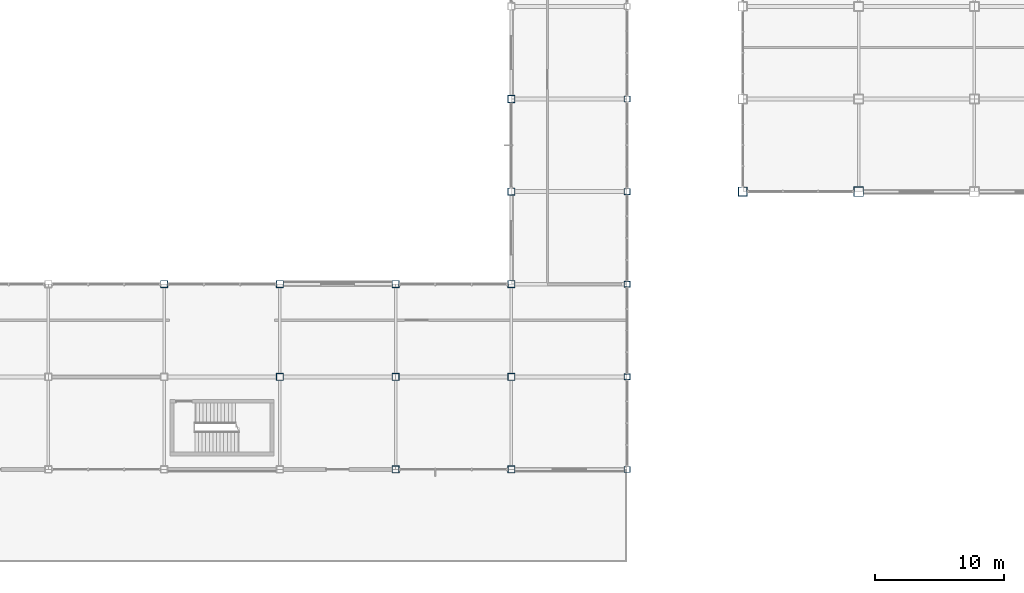
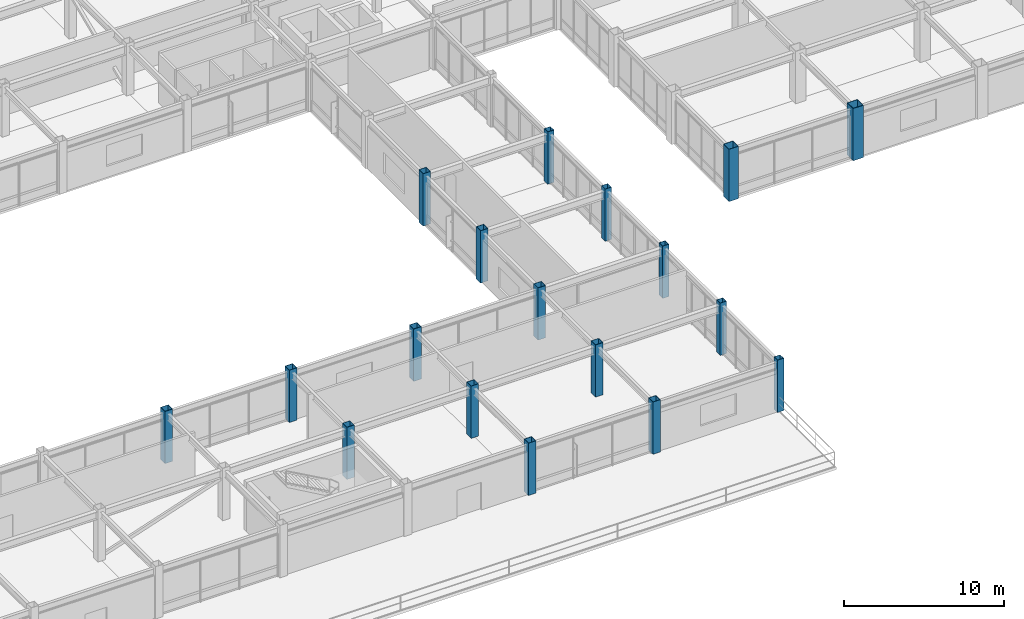
# One storey, part 5 of 122: 18 columns.
"""IFC4 building model written with IfcOpenShell, lengths in metres."""

from ifc_helpers import new_model, si_unit, direction, frame, origin, origin_2d, place, context, subcontext, project, spatial, hollow_rectangle, extrude, material, material_profile, profile_set, type_object, element, save


model = new_model("IFC4")

# Units and contexts
model_context = context("Model", 3, precision=1e-05, world=origin(), true_north=direction((0.0, 1.0)))
body_context = subcontext(model_context, "Body", "Model", "MODEL_VIEW")
ifc_project = project(units=[si_unit("LENGTHUNIT", "METRE"), si_unit("AREAUNIT", "SQUARE_METRE"), si_unit("VOLUMEUNIT", "CUBIC_METRE"), si_unit("PLANEANGLEUNIT", "RADIAN"), si_unit("MASSUNIT", "GRAM", prefix="KILO")], contexts=[model_context])

# Site, building, storey
site_placement = place(None, origin())
site = spatial("IfcSite", under=ifc_project, at=site_placement, CompositionType="ELEMENT")
building_placement = place(site_placement, origin())
building = spatial("IfcBuilding", under=site, at=building_placement, Name="Kazanami Central Library", CompositionType="ELEMENT")
storey_placement = place(building_placement, frame((0.0, 0.0, 4.800048828125)))
storey = spatial("IfcBuildingStorey", under=building, at=storey_placement, Name="L02", CompositionType="ELEMENT", Elevation=4.800048828125)

# Columns
ifc_material = material(Name="Steel BCP325 (325 MPa)", Category="steel")
ifc_material_profile_1 = material_profile(ifc_material, hollow_rectangle(XDim=0.449951171875, YDim=0.449951171875, WallThickness=0.01904296875, at=origin_2d()), Name="BCP-450x450x19")
ifc_profile_set_1 = profile_set([ifc_material_profile_1], Name="Steel BCP325 (325 MPa)")
column_type_1 = type_object("IfcColumnType", Name="COL-C-P2E", PredefinedType="COLUMN", material=ifc_profile_set_1)
for number, where, z_axis, x_axis, name in (
    (1, (108.0, 21.60009765625, 0.0), (0.0, 0.0, 1.0), (1.0, 0.0, 0.0), "Column C-P2E L02 13/D"),
    (2, (108.0, 28.800048828125, 0.0), (0.0, 0.0, 1.0), (1.0, 0.0, 0.0), "Column C-P2E L02 13/E"),
    (3, (108.0, 36.0, 0.0), (0.0, 0.0, 1.0), (1.0, 0.0, 0.0), "Column C-P2E L02 13/F"),
    (4, (108.0, 43.199951171875, 0.0), (0.0, 0.0, 1.0), (1.0, 0.0, 0.0), "Column C-P2E L02 13/G"),
    (5, (108.0, 50.39990234375, 0.0), (0.0, 0.0, 1.0), (1.0, 0.0, 0.0), "Column C-P2E L02 13/H"),
):
    element("IfcColumn", number, at=place(storey_placement, frame(where, z_axis=z_axis, x_axis=x_axis)), inside=storey, type_object=column_type_1, Name=name, PredefinedType="COLUMN", context=body_context, shape_type="SweptSolid", body=[
        extrude(hollow_rectangle(XDim=0.449951171875, YDim=0.449951171875, WallThickness=0.01904296875, at=origin_2d()), origin(), (0.0, 0.0, 1.0), 4.0),
    ])
ifc_material_profile_2 = material_profile(ifc_material, hollow_rectangle(XDim=0.550048828125, YDim=0.550048828125, WallThickness=0.02197265625, at=origin_2d()), Name="BCP-550x550x22")
ifc_profile_set_2 = profile_set([ifc_material_profile_2], Name="Steel BCP325 (325 MPa)")
column_type_2 = type_object("IfcColumnType", Name="COL-C-P2I", PredefinedType="COLUMN", material=ifc_profile_set_2)
for number, where, z_axis, x_axis, name in (
    (6, (72.0, 36.0, 0.0), (0.0, 0.0, 1.0), (1.0, 0.0, 0.0), "Column C-P2I L02 9/F"),
    (7, (81.0, 28.800048828125, 0.0), (0.0, 0.0, 1.0), (1.0, 0.0, 0.0), "Column C-P2I L02 10/E"),
    (8, (81.0, 36.0, 0.0), (0.0, 0.0, 1.0), (1.0, 0.0, 0.0), "Column C-P2I L02 10/F"),
    (9, (90.0, 21.60009765625, 0.0), (0.0, 0.0, 1.0), (1.0, 0.0, 0.0), "Column C-P2I L02 11/D"),
    (10, (90.0, 28.800048828125, 0.0), (0.0, 0.0, 1.0), (1.0, 0.0, 0.0), "Column C-P2I L02 11/E"),
    (11, (90.0, 36.0, 0.0), (0.0, 0.0, 1.0), (1.0, 0.0, 0.0), "Column C-P2I L02 11/F"),
    (12, (99.0, 21.60009765625, 0.0), (0.0, 0.0, 1.0), (1.0, 0.0, 0.0), "Column C-P2I L02 12/D"),
    (13, (99.0, 28.800048828125, 0.0), (0.0, 0.0, 1.0), (1.0, 0.0, 0.0), "Column C-P2I L02 12/E"),
    (14, (99.0, 36.0, 0.0), (0.0, 0.0, 1.0), (1.0, 0.0, 0.0), "Column C-P2I L02 12/F"),
    (15, (99.0, 43.199951171875, 0.0), (0.0, 0.0, 1.0), (1.0, 0.0, 0.0), "Column C-P2I L02 12/G"),
    (16, (99.0, 50.39990234375, 0.0), (0.0, 0.0, 1.0), (1.0, 0.0, 0.0), "Column C-P2I L02 12/H"),
):
    element("IfcColumn", number, at=place(storey_placement, frame(where, z_axis=z_axis, x_axis=x_axis)), inside=storey, type_object=column_type_2, Name=name, PredefinedType="COLUMN", context=body_context, shape_type="SweptSolid", body=[
        extrude(hollow_rectangle(XDim=0.550048828125, YDim=0.550048828125, WallThickness=0.02197265625, at=origin_2d()), origin(), (0.0, 0.0, 1.0), 4.0),
    ])
ifc_material_profile_3 = material_profile(ifc_material, hollow_rectangle(XDim=0.75, YDim=0.75, WallThickness=0.031982421875, at=origin_2d()), Name="BCP-750x750x32")
ifc_profile_set_3 = profile_set([ifc_material_profile_3], Name="Steel BCP325 (325 MPa)")
column_type_3 = type_object("IfcColumnType", Name="COL-C-T1I", PredefinedType="COLUMN", material=ifc_profile_set_3)
column_1_placement = place(storey_placement, frame((126.0, 43.199951171875, 0.0), z_axis=(0.0, 0.0, 1.0), x_axis=(1.0, 0.0, 0.0)))
element("IfcColumn", 17, at=column_1_placement, inside=storey, type_object=column_type_3, Name="Column C-T1I L02 15/G", PredefinedType="COLUMN", context=body_context, shape_type="SweptSolid", body=[
    extrude(hollow_rectangle(XDim=0.75, YDim=0.75, WallThickness=0.031982421875, at=origin_2d()), origin(), (0.0, 0.0, 1.0), 4.0),
])
ifc_material_profile_4 = material_profile(ifc_material, hollow_rectangle(XDim=0.699951171875, YDim=0.699951171875, WallThickness=0.028076171875, at=origin_2d()), Name="BCP-700x700x28")
ifc_profile_set_4 = profile_set([ifc_material_profile_4], Name="Steel BCP325 (325 MPa)")
column_type_4 = type_object("IfcColumnType", Name="COL-C-T1P", PredefinedType="COLUMN", material=ifc_profile_set_4)
column_2_placement = place(storey_placement, frame((117.0, 43.199951171875, 0.0), z_axis=(0.0, 0.0, 1.0), x_axis=(1.0, 0.0, 0.0)))
element("IfcColumn", 18, at=column_2_placement, inside=storey, type_object=column_type_4, Name="Column C-T1P L02 14/G", PredefinedType="COLUMN", context=body_context, shape_type="SweptSolid", body=[
    extrude(hollow_rectangle(XDim=0.699951171875, YDim=0.699951171875, WallThickness=0.028076171875, at=origin_2d()), origin(), (0.0, 0.0, 1.0), 4.0),
])

save(model, "model.ifc")
